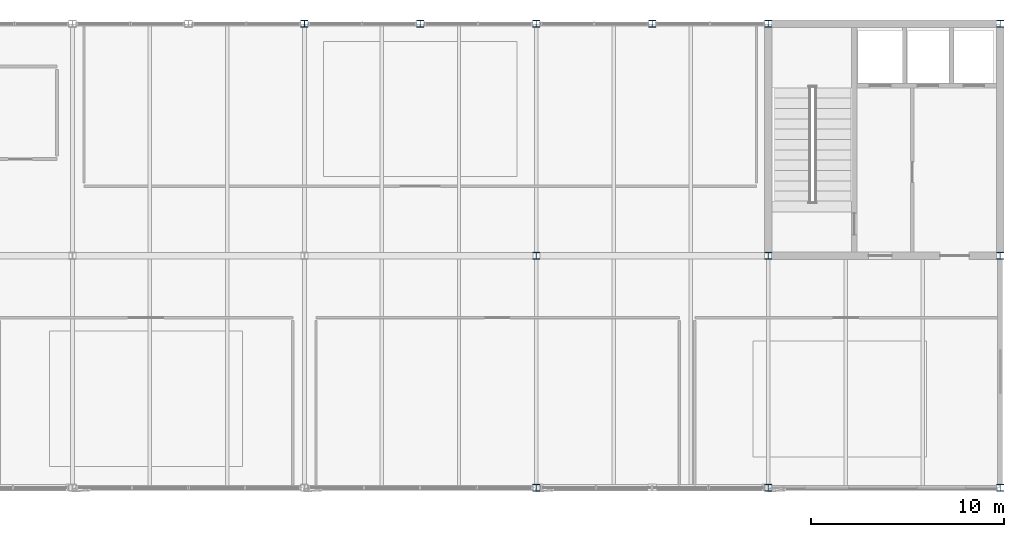
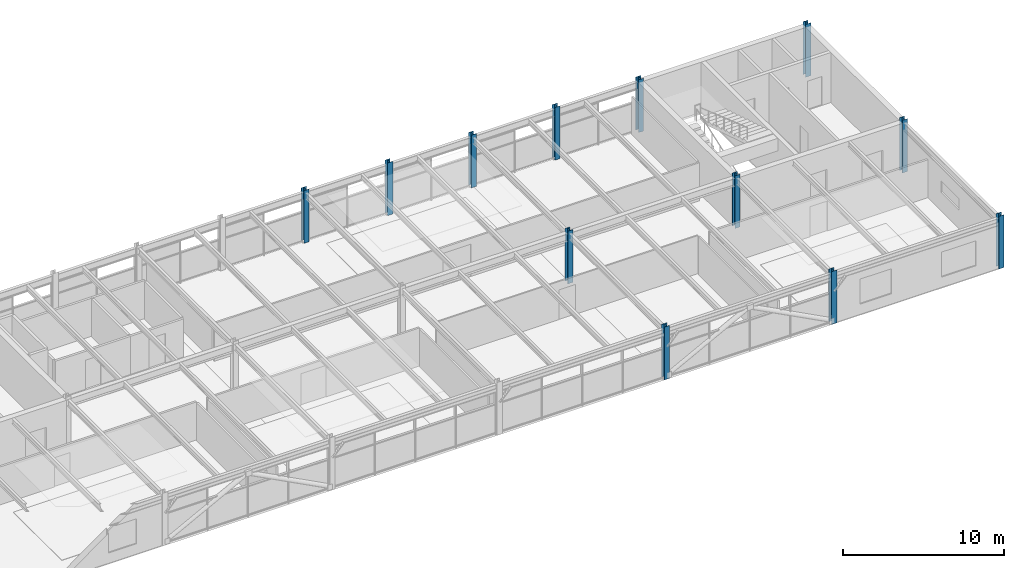
# One storey, part 2 of 23: 12 columns.
"""IFC4 building model written with IfcOpenShell, lengths in metres."""

from ifc_helpers import new_model, si_unit, direction, frame, origin, origin_2d, place, context, subcontext, project, spatial, i_section, extrude, material, material_profile, profile_set, type_object, element, save


model = new_model("IFC4")

# Units and contexts
model_context = context("Model", 3, precision=1e-05, world=origin(), true_north=direction((0.0, 1.0)))
body_context = subcontext(model_context, "Body", "Model", "MODEL_VIEW")
ifc_project = project(units=[si_unit("LENGTHUNIT", "METRE"), si_unit("AREAUNIT", "SQUARE_METRE"), si_unit("VOLUMEUNIT", "CUBIC_METRE"), si_unit("PLANEANGLEUNIT", "RADIAN"), si_unit("MASSUNIT", "GRAM", prefix="KILO")], contexts=[model_context])

# Site, building, storey
site_placement = place(None, origin())
site = spatial("IfcSite", under=ifc_project, at=site_placement, CompositionType="ELEMENT")
building_placement = place(site_placement, origin())
building = spatial("IfcBuilding", under=site, at=building_placement, Name="Girod Span Mobility Hub", CompositionType="ELEMENT")
storey_placement = place(building_placement, frame((0.0, 0.0, 65.60009765625)))
storey = spatial("IfcBuildingStorey", under=building, at=storey_placement, Name="L16", CompositionType="ELEMENT", Elevation=65.60009765625)

# Columns
ifc_material = material(Name="Steel A992 Grade 50", Category="steel")
ifc_material_profile = material_profile(ifc_material, i_section(OverallWidth=0.368896484375, OverallDepth=0.35595703125, WebThickness=0.01123046875, FlangeThickness=0.01806640625, FilletRadius=0.01806640625, at=origin_2d()), Name="W14X90")
ifc_profile_set = profile_set([ifc_material_profile], Name="Steel A992 Grade 50")
column_type = type_object("IfcColumnType", Name="COL-STL-W14X90", PredefinedType="COLUMN", material=ifc_profile_set)
for number, where, z_axis, x_axis, name in (
    (1, (84.0, 69.0, 0.0), (0.0, 0.0, 1.0), (1.0, 0.0, 0.0), "Column 8F L16"),
    (2, (96.0, 45.0, 0.0), (0.0, 0.0, 1.0), (1.0, 0.0, 0.0), "Column 9D L16"),
    (3, (96.0, 57.0, 0.0), (0.0, 0.0, 1.0), (1.0, 0.0, 0.0), "Column 9E L16"),
    (4, (96.0, 69.0, 0.0), (0.0, 0.0, 1.0), (1.0, 0.0, 0.0), "Column 9F L16"),
    (5, (108.0, 45.0, 0.0), (0.0, 0.0, 1.0), (1.0, 0.0, 0.0), "Column 10D L16"),
    (6, (108.0, 57.0, 0.0), (0.0, 0.0, 1.0), (1.0, 0.0, 0.0), "Column 10E L16"),
    (7, (108.0, 69.0, 0.0), (0.0, 0.0, 1.0), (1.0, 0.0, 0.0), "Column 10F L16"),
    (8, (120.0, 45.0, 0.0), (0.0, 0.0, 1.0), (1.0, 0.0, 0.0), "Column 11D L16"),
    (9, (120.0, 57.0, 0.0), (0.0, 0.0, 1.0), (1.0, 0.0, 0.0), "Column 11E L16"),
    (10, (120.0, 69.0, 0.0), (0.0, 0.0, 1.0), (1.0, 0.0, 0.0), "Column 11F L16"),
    (11, (90.0, 69.0, 0.0), (0.0, 0.0, 1.0), (1.0, 0.0, 0.0), "Facade Intermediate Column INT-3 L16"),
    (12, (102.0, 69.0, 0.0), (0.0, 0.0, 1.0), (1.0, 0.0, 0.0), "Facade Intermediate Column INT-4 L16"),
):
    element("IfcColumn", number, at=place(storey_placement, frame(where, z_axis=z_axis, x_axis=x_axis)), inside=storey, type_object=column_type, Name=name, PredefinedType="COLUMN", context=body_context, shape_type="SweptSolid", body=[
        extrude(i_section(OverallWidth=0.368896484375, OverallDepth=0.35595703125, WebThickness=0.01123046875, FlangeThickness=0.01806640625, FilletRadius=0.01806640625, at=origin_2d()), origin(), (0.0, 0.0, 1.0), 4.0),
    ])

save(model, "model.ifc")
